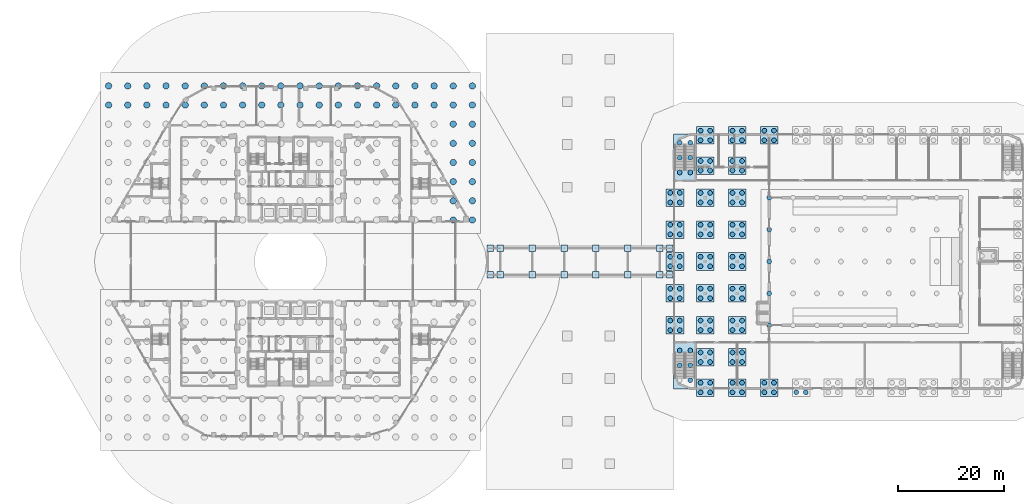
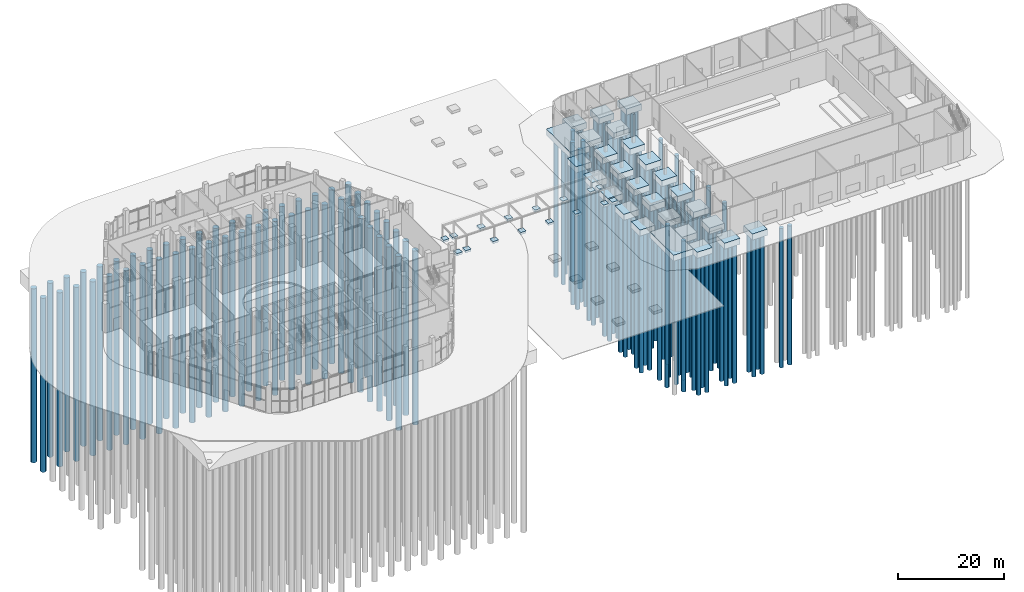
# One storey, part 2 of 44: 170 piles, 43 footings.
"""IFC4 building model written with IfcOpenShell, lengths in metres."""

from ifc_helpers import new_model, si_unit, direction, frame, origin, origin_2d, place, context, subcontext, project, spatial, polyline, rectangle, circle, outline, extrude, material, material_profile, profile_set, type_object, element, save


model = new_model("IFC4")

# Units and contexts
model_context = context("Model", 3, precision=1e-05, world=origin(), true_north=direction((0.0, 1.0)))
body_context = subcontext(model_context, "Body", "Model", "MODEL_VIEW")
ifc_project = project(units=[si_unit("LENGTHUNIT", "METRE"), si_unit("AREAUNIT", "SQUARE_METRE"), si_unit("VOLUMEUNIT", "CUBIC_METRE"), si_unit("PLANEANGLEUNIT", "RADIAN"), si_unit("MASSUNIT", "GRAM", prefix="KILO")], contexts=[model_context])

# Site, building, storey
site_placement = place(None, origin())
site = spatial("IfcSite", under=ifc_project, at=site_placement, CompositionType="ELEMENT")
building_placement = place(site_placement, origin())
building = spatial("IfcBuilding", under=site, at=building_placement, Name="Nakaniwa Court", CompositionType="ELEMENT")
storey_placement = place(building_placement, origin())
storey = spatial("IfcBuildingStorey", under=building, at=storey_placement, Name="L00", CompositionType="ELEMENT", Elevation=0.0)

# Footings
ifc_material_1 = material(Name="Concrete C40/50", Category="concrete")
footing_type_1 = type_object("IfcFootingType", Name="Canopy pad footing 1200x1200x500", PredefinedType="PAD_FOOTING", material=ifc_material_1)
footing_1_placement = place(storey_placement, frame((0.0, 0.0, -0.5)))
element("IfcFooting", 1, at=footing_1_placement, inside=storey, type_object=footing_type_1, Name="Canopy pad footing 1S", PredefinedType="PAD_FOOTING", context=body_context, shape_type="SweptSolid", body=[
    extrude(outline(polyline([(118.16748046875, 76.89990234375), (118.16748046875, 78.10009765625), (116.967529296875, 78.10009765625), (116.967529296875, 76.89990234375), (118.16748046875, 76.89990234375)])), origin(), (0.0, 0.0, 1.0), 0.5),
])
footing_2_placement = place(storey_placement, frame((0.0, 0.0, -0.5)))
element("IfcFooting", 2, at=footing_2_placement, inside=storey, type_object=footing_type_1, Name="Canopy pad footing 1N", PredefinedType="PAD_FOOTING", context=body_context, shape_type="SweptSolid", body=[
    extrude(outline(polyline([(118.16748046875, 81.89990234375), (118.16748046875, 83.10009765625), (116.967529296875, 83.10009765625), (116.967529296875, 81.89990234375), (118.16748046875, 81.89990234375)])), origin(), (0.0, 0.0, 1.0), 0.5),
])
footing_3_placement = place(storey_placement, frame((0.0, 0.0, -0.5)))
element("IfcFooting", 3, at=footing_3_placement, inside=storey, type_object=footing_type_1, Name="Canopy pad footing 2S", PredefinedType="PAD_FOOTING", context=body_context, shape_type="SweptSolid", body=[
    extrude(outline(polyline([(120.0673828125, 76.89990234375), (120.0673828125, 78.10009765625), (118.867431640625, 78.10009765625), (118.867431640625, 76.89990234375), (120.0673828125, 76.89990234375)])), origin(), (0.0, 0.0, 1.0), 0.5),
])
footing_4_placement = place(storey_placement, frame((0.0, 0.0, -0.5)))
element("IfcFooting", 4, at=footing_4_placement, inside=storey, type_object=footing_type_1, Name="Canopy pad footing 2N", PredefinedType="PAD_FOOTING", context=body_context, shape_type="SweptSolid", body=[
    extrude(outline(polyline([(120.0673828125, 81.89990234375), (120.0673828125, 83.10009765625), (118.867431640625, 83.10009765625), (118.867431640625, 81.89990234375), (120.0673828125, 81.89990234375)])), origin(), (0.0, 0.0, 1.0), 0.5),
])
footing_5_placement = place(storey_placement, frame((0.0, 0.0, -0.5)))
element("IfcFooting", 5, at=footing_5_placement, inside=storey, type_object=footing_type_1, Name="Canopy pad footing 3S", PredefinedType="PAD_FOOTING", context=body_context, shape_type="SweptSolid", body=[
    extrude(outline(polyline([(126.053955078125, 76.89990234375), (126.053955078125, 78.10009765625), (124.85400390625, 78.10009765625), (124.85400390625, 76.89990234375), (126.053955078125, 76.89990234375)])), origin(), (0.0, 0.0, 1.0), 0.5),
])
footing_6_placement = place(storey_placement, frame((0.0, 0.0, -0.5)))
element("IfcFooting", 6, at=footing_6_placement, inside=storey, type_object=footing_type_1, Name="Canopy pad footing 3N", PredefinedType="PAD_FOOTING", context=body_context, shape_type="SweptSolid", body=[
    extrude(outline(polyline([(126.053955078125, 81.89990234375), (126.053955078125, 83.10009765625), (124.85400390625, 83.10009765625), (124.85400390625, 81.89990234375), (126.053955078125, 81.89990234375)])), origin(), (0.0, 0.0, 1.0), 0.5),
])
footing_7_placement = place(storey_placement, frame((0.0, 0.0, -0.5)))
element("IfcFooting", 7, at=footing_7_placement, inside=storey, type_object=footing_type_1, Name="Canopy pad footing 4S", PredefinedType="PAD_FOOTING", context=body_context, shape_type="SweptSolid", body=[
    extrude(outline(polyline([(132.04052734375, 76.89990234375), (132.04052734375, 78.10009765625), (130.840576171875, 78.10009765625), (130.840576171875, 76.89990234375), (132.04052734375, 76.89990234375)])), origin(), (0.0, 0.0, 1.0), 0.5),
])
footing_8_placement = place(storey_placement, frame((0.0, 0.0, -0.5)))
element("IfcFooting", 8, at=footing_8_placement, inside=storey, type_object=footing_type_1, Name="Canopy pad footing 4N", PredefinedType="PAD_FOOTING", context=body_context, shape_type="SweptSolid", body=[
    extrude(outline(polyline([(132.04052734375, 81.89990234375), (132.04052734375, 83.10009765625), (130.840576171875, 83.10009765625), (130.840576171875, 81.89990234375), (132.04052734375, 81.89990234375)])), origin(), (0.0, 0.0, 1.0), 0.5),
])
footing_9_placement = place(storey_placement, frame((0.0, 0.0, -0.5)))
element("IfcFooting", 9, at=footing_9_placement, inside=storey, type_object=footing_type_1, Name="Canopy pad footing 5S", PredefinedType="PAD_FOOTING", context=body_context, shape_type="SweptSolid", body=[
    extrude(outline(polyline([(138.027099609375, 76.89990234375), (138.027099609375, 78.10009765625), (136.826904296875, 78.10009765625), (136.826904296875, 76.89990234375), (138.027099609375, 76.89990234375)])), origin(), (0.0, 0.0, 1.0), 0.5),
])
footing_10_placement = place(storey_placement, frame((0.0, 0.0, -0.5)))
element("IfcFooting", 10, at=footing_10_placement, inside=storey, type_object=footing_type_1, Name="Canopy pad footing 5N", PredefinedType="PAD_FOOTING", context=body_context, shape_type="SweptSolid", body=[
    extrude(outline(polyline([(138.027099609375, 81.89990234375), (138.027099609375, 83.10009765625), (136.826904296875, 83.10009765625), (136.826904296875, 81.89990234375), (138.027099609375, 81.89990234375)])), origin(), (0.0, 0.0, 1.0), 0.5),
])
footing_11_placement = place(storey_placement, frame((0.0, 0.0, -0.5)))
element("IfcFooting", 11, at=footing_11_placement, inside=storey, type_object=footing_type_1, Name="Canopy pad footing 6S", PredefinedType="PAD_FOOTING", context=body_context, shape_type="SweptSolid", body=[
    extrude(outline(polyline([(144.013427734375, 76.89990234375), (144.013427734375, 78.10009765625), (142.8134765625, 78.10009765625), (142.8134765625, 76.89990234375), (144.013427734375, 76.89990234375)])), origin(), (0.0, 0.0, 1.0), 0.5),
])
footing_12_placement = place(storey_placement, frame((0.0, 0.0, -0.5)))
element("IfcFooting", 12, at=footing_12_placement, inside=storey, type_object=footing_type_1, Name="Canopy pad footing 6N", PredefinedType="PAD_FOOTING", context=body_context, shape_type="SweptSolid", body=[
    extrude(outline(polyline([(144.013427734375, 81.89990234375), (144.013427734375, 83.10009765625), (142.8134765625, 83.10009765625), (142.8134765625, 81.89990234375), (144.013427734375, 81.89990234375)])), origin(), (0.0, 0.0, 1.0), 0.5),
])
footing_13_placement = place(storey_placement, frame((0.0, 0.0, -0.5)))
element("IfcFooting", 13, at=footing_13_placement, inside=storey, type_object=footing_type_1, Name="Canopy pad footing 7S", PredefinedType="PAD_FOOTING", context=body_context, shape_type="SweptSolid", body=[
    extrude(outline(polyline([(150.0, 76.89990234375), (150.0, 78.10009765625), (148.800048828125, 78.10009765625), (148.800048828125, 76.89990234375), (150.0, 76.89990234375)])), origin(), (0.0, 0.0, 1.0), 0.5),
])
footing_14_placement = place(storey_placement, frame((0.0, 0.0, -0.5)))
element("IfcFooting", 14, at=footing_14_placement, inside=storey, type_object=footing_type_1, Name="Canopy pad footing 7N", PredefinedType="PAD_FOOTING", context=body_context, shape_type="SweptSolid", body=[
    extrude(outline(polyline([(150.0, 81.89990234375), (150.0, 83.10009765625), (148.800048828125, 83.10009765625), (148.800048828125, 81.89990234375), (150.0, 81.89990234375)])), origin(), (0.0, 0.0, 1.0), 0.5),
])
footing_15_placement = place(storey_placement, frame((0.0, 0.0, -0.5)))
element("IfcFooting", 15, at=footing_15_placement, inside=storey, type_object=footing_type_1, Name="Canopy pad footing 8S", PredefinedType="PAD_FOOTING", context=body_context, shape_type="SweptSolid", body=[
    extrude(outline(polyline([(151.89990234375, 76.89990234375), (151.89990234375, 78.10009765625), (150.699951171875, 78.10009765625), (150.699951171875, 76.89990234375), (151.89990234375, 76.89990234375)])), origin(), (0.0, 0.0, 1.0), 0.5),
])
footing_16_placement = place(storey_placement, frame((0.0, 0.0, -0.5)))
element("IfcFooting", 16, at=footing_16_placement, inside=storey, type_object=footing_type_1, Name="Canopy pad footing 8N", PredefinedType="PAD_FOOTING", context=body_context, shape_type="SweptSolid", body=[
    extrude(outline(polyline([(151.89990234375, 81.89990234375), (151.89990234375, 83.10009765625), (150.699951171875, 83.10009765625), (150.699951171875, 81.89990234375), (151.89990234375, 81.89990234375)])), origin(), (0.0, 0.0, 1.0), 0.5),
])

# Piles
ifc_material_2 = material(Name="Concrete C50/60", Category="concrete")
ifc_material_profile_1 = material_profile(ifc_material_2, circle(Radius=0.60009765625, at=origin_2d()), Name="Concrete C50/60 bored pile D1200")
ifc_profile_set_1 = profile_set([ifc_material_profile_1], Name="Concrete C50/60")
pile_type_1 = type_object("IfcPileType", Name="Concrete C50/60 bored pile D1200", PredefinedType="BORED", material=ifc_profile_set_1)
for number, where, z_axis, x_axis, name in (
    (17, (45.800048828125, 109.414794921875, -4.64990234375), (0.0, 0.0, -1.0), (1.0, 0.0, 0.0), "BORED PILE"),
    (18, (45.800048828125, 113.0146484375, -4.64990234375), (0.0, 0.0, -1.0), (1.0, 0.0, 0.0), "BORED PILE"),
    (19, (49.39990234375, 109.414794921875, -4.64990234375), (0.0, 0.0, -1.0), (1.0, 0.0, 0.0), "BORED PILE"),
    (20, (49.39990234375, 113.0146484375, -4.64990234375), (0.0, 0.0, -1.0), (1.0, 0.0, 0.0), "BORED PILE"),
    (21, (53.0, 109.414794921875, -4.64990234375), (0.0, 0.0, -1.0), (1.0, 0.0, 0.0), "BORED PILE"),
    (22, (53.0, 113.0146484375, -4.64990234375), (0.0, 0.0, -1.0), (1.0, 0.0, 0.0), "BORED PILE"),
    (23, (56.60009765625, 109.414794921875, -4.64990234375), (0.0, 0.0, -1.0), (1.0, 0.0, 0.0), "BORED PILE"),
    (24, (56.60009765625, 113.0146484375, -4.64990234375), (0.0, 0.0, -1.0), (1.0, 0.0, 0.0), "BORED PILE"),
    (25, (60.199951171875, 109.414794921875, -4.64990234375), (0.0, 0.0, -1.0), (1.0, 0.0, 0.0), "BORED PILE"),
    (26, (60.199951171875, 113.0146484375, -4.64990234375), (0.0, 0.0, -1.0), (1.0, 0.0, 0.0), "BORED PILE"),
    (27, (63.800048828125, 109.414794921875, -4.64990234375), (0.0, 0.0, -1.0), (1.0, 0.0, 0.0), "BORED PILE"),
    (28, (63.800048828125, 113.0146484375, -4.64990234375), (0.0, 0.0, -1.0), (1.0, 0.0, 0.0), "BORED PILE"),
    (29, (67.39990234375, 109.414794921875, -4.64990234375), (0.0, 0.0, -1.0), (1.0, 0.0, 0.0), "BORED PILE"),
    (30, (67.39990234375, 113.0146484375, -4.64990234375), (0.0, 0.0, -1.0), (1.0, 0.0, 0.0), "BORED PILE"),
    (31, (71.0, 109.414794921875, -4.64990234375), (0.0, 0.0, -1.0), (1.0, 0.0, 0.0), "BORED PILE"),
    (32, (71.0, 113.0146484375, -4.64990234375), (0.0, 0.0, -1.0), (1.0, 0.0, 0.0), "BORED PILE"),
    (33, (74.60009765625, 109.414794921875, -4.64990234375), (0.0, 0.0, -1.0), (1.0, 0.0, 0.0), "BORED PILE"),
    (34, (74.60009765625, 113.0146484375, -4.64990234375), (0.0, 0.0, -1.0), (1.0, 0.0, 0.0), "BORED PILE"),
    (35, (78.199951171875, 109.414794921875, -4.64990234375), (0.0, 0.0, -1.0), (1.0, 0.0, 0.0), "BORED PILE"),
    (36, (78.199951171875, 113.0146484375, -4.64990234375), (0.0, 0.0, -1.0), (1.0, 0.0, 0.0), "BORED PILE"),
    (37, (81.800048828125, 109.414794921875, -4.64990234375), (0.0, 0.0, -1.0), (1.0, 0.0, 0.0), "BORED PILE"),
    (38, (81.800048828125, 113.0146484375, -4.64990234375), (0.0, 0.0, -1.0), (1.0, 0.0, 0.0), "BORED PILE"),
    (39, (85.39990234375, 109.414794921875, -4.64990234375), (0.0, 0.0, -1.0), (1.0, 0.0, 0.0), "BORED PILE"),
    (40, (85.39990234375, 113.0146484375, -4.64990234375), (0.0, 0.0, -1.0), (1.0, 0.0, 0.0), "BORED PILE"),
    (41, (89.0, 109.414794921875, -4.64990234375), (0.0, 0.0, -1.0), (1.0, 0.0, 0.0), "BORED PILE"),
    (42, (89.0, 113.0146484375, -4.64990234375), (0.0, 0.0, -1.0), (1.0, 0.0, 0.0), "BORED PILE"),
    (43, (92.60009765625, 109.414794921875, -4.64990234375), (0.0, 0.0, -1.0), (1.0, 0.0, 0.0), "BORED PILE"),
    (44, (92.60009765625, 113.0146484375, -4.64990234375), (0.0, 0.0, -1.0), (1.0, 0.0, 0.0), "BORED PILE"),
    (45, (96.199951171875, 109.414794921875, -4.64990234375), (0.0, 0.0, -1.0), (1.0, 0.0, 0.0), "BORED PILE"),
    (46, (96.199951171875, 113.0146484375, -4.64990234375), (0.0, 0.0, -1.0), (1.0, 0.0, 0.0), "BORED PILE"),
    (47, (99.800048828125, 109.414794921875, -4.64990234375), (0.0, 0.0, -1.0), (1.0, 0.0, 0.0), "BORED PILE"),
    (48, (99.800048828125, 113.0146484375, -4.64990234375), (0.0, 0.0, -1.0), (1.0, 0.0, 0.0), "BORED PILE"),
    (49, (103.39990234375, 109.414794921875, -4.64990234375), (0.0, 0.0, -1.0), (1.0, 0.0, 0.0), "BORED PILE"),
    (50, (103.39990234375, 113.0146484375, -4.64990234375), (0.0, 0.0, -1.0), (1.0, 0.0, 0.0), "BORED PILE"),
    (51, (107.0, 109.414794921875, -4.64990234375), (0.0, 0.0, -1.0), (1.0, 0.0, 0.0), "BORED PILE"),
    (52, (107.0, 113.0146484375, -4.64990234375), (0.0, 0.0, -1.0), (1.0, 0.0, 0.0), "BORED PILE"),
    (53, (110.60009765625, 87.814697265625, -4.64990234375), (0.0, 0.0, -1.0), (1.0, 0.0, 0.0), "BORED PILE"),
    (54, (110.60009765625, 91.414794921875, -4.64990234375), (0.0, 0.0, -1.0), (1.0, 0.0, 0.0), "BORED PILE"),
    (55, (110.60009765625, 95.0146484375, -4.64990234375), (0.0, 0.0, -1.0), (1.0, 0.0, 0.0), "BORED PILE"),
    (56, (110.60009765625, 98.61474609375, -4.64990234375), (0.0, 0.0, -1.0), (1.0, 0.0, 0.0), "BORED PILE"),
    (57, (110.60009765625, 102.214599609375, -4.64990234375), (0.0, 0.0, -1.0), (1.0, 0.0, 0.0), "BORED PILE"),
    (58, (110.60009765625, 105.814697265625, -4.64990234375), (0.0, 0.0, -1.0), (1.0, 0.0, 0.0), "BORED PILE"),
    (59, (110.60009765625, 109.414794921875, -4.64990234375), (0.0, 0.0, -1.0), (1.0, 0.0, 0.0), "BORED PILE"),
    (60, (110.60009765625, 113.0146484375, -4.64990234375), (0.0, 0.0, -1.0), (1.0, 0.0, 0.0), "BORED PILE"),
    (61, (114.199951171875, 87.814697265625, -4.64990234375), (0.0, 0.0, -1.0), (1.0, 0.0, 0.0), "BORED PILE"),
    (62, (114.199951171875, 91.414794921875, -4.64990234375), (0.0, 0.0, -1.0), (1.0, 0.0, 0.0), "BORED PILE"),
    (63, (114.199951171875, 95.0146484375, -4.64990234375), (0.0, 0.0, -1.0), (1.0, 0.0, 0.0), "BORED PILE"),
    (64, (114.199951171875, 98.61474609375, -4.64990234375), (0.0, 0.0, -1.0), (1.0, 0.0, 0.0), "BORED PILE"),
    (65, (114.199951171875, 102.214599609375, -4.64990234375), (0.0, 0.0, -1.0), (1.0, 0.0, 0.0), "BORED PILE"),
    (66, (114.199951171875, 105.814697265625, -4.64990234375), (0.0, 0.0, -1.0), (1.0, 0.0, 0.0), "BORED PILE"),
    (67, (114.199951171875, 109.414794921875, -4.64990234375), (0.0, 0.0, -1.0), (1.0, 0.0, 0.0), "BORED PILE"),
    (68, (114.199951171875, 113.0146484375, -4.64990234375), (0.0, 0.0, -1.0), (1.0, 0.0, 0.0), "BORED PILE"),
):
    element("IfcPile", number, at=place(storey_placement, frame(where, z_axis=z_axis, x_axis=x_axis)), inside=storey, type_object=pile_type_1, Name=name, PredefinedType="BORED", context=body_context, shape_type="SweptSolid", body=[
        extrude(circle(Radius=0.60009765625, at=origin_2d()), origin(), (0.0, 0.0, 1.0), 40.0),
    ])
ifc_material_profile_2 = material_profile(ifc_material_1, circle(Radius=0.449951171875, at=origin_2d()), Name="Bored pile D900")
ifc_profile_set_2 = profile_set([ifc_material_profile_2], Name="Concrete C40/50")
pile_type_2 = type_object("IfcPileType", Name="Hall bored pile D900", PredefinedType="BORED", material=ifc_profile_set_2)
for number, where, z_axis, x_axis, name in (
    (69, (157.10009765625, 55.39990234375, -1.25), (0.0, 0.0, -1.0), (1.0, 0.0, 0.0), "Hall bored pile"),
    (70, (158.89990234375, 55.39990234375, -1.25), (0.0, 0.0, -1.0), (1.0, 0.0, 0.0), "Hall bored pile"),
    (71, (158.89990234375, 57.199951171875, -1.25), (0.0, 0.0, -1.0), (1.0, 0.0, 0.0), "Hall bored pile"),
    (72, (157.10009765625, 57.199951171875, -1.25), (0.0, 0.0, -1.0), (1.0, 0.0, 0.0), "Hall bored pile"),
    (73, (157.10009765625, 102.800048828125, -1.25), (0.0, 0.0, -1.0), (1.0, 0.0, 0.0), "Hall bored pile"),
    (74, (158.89990234375, 102.800048828125, -1.25), (0.0, 0.0, -1.0), (1.0, 0.0, 0.0), "Hall bored pile"),
    (75, (158.89990234375, 104.60009765625, -1.25), (0.0, 0.0, -1.0), (1.0, 0.0, 0.0), "Hall bored pile"),
    (76, (157.10009765625, 104.60009765625, -1.25), (0.0, 0.0, -1.0), (1.0, 0.0, 0.0), "Hall bored pile"),
    (77, (163.10009765625, 55.39990234375, -1.25), (0.0, 0.0, -1.0), (1.0, 0.0, 0.0), "Hall bored pile"),
    (78, (164.89990234375, 55.39990234375, -1.25), (0.0, 0.0, -1.0), (1.0, 0.0, 0.0), "Hall bored pile"),
    (79, (164.89990234375, 57.199951171875, -1.25), (0.0, 0.0, -1.0), (1.0, 0.0, 0.0), "Hall bored pile"),
    (80, (163.10009765625, 57.199951171875, -1.25), (0.0, 0.0, -1.0), (1.0, 0.0, 0.0), "Hall bored pile"),
    (81, (163.10009765625, 102.800048828125, -1.25), (0.0, 0.0, -1.0), (1.0, 0.0, 0.0), "Hall bored pile"),
    (82, (164.89990234375, 102.800048828125, -1.25), (0.0, 0.0, -1.0), (1.0, 0.0, 0.0), "Hall bored pile"),
    (83, (164.89990234375, 104.60009765625, -1.25), (0.0, 0.0, -1.0), (1.0, 0.0, 0.0), "Hall bored pile"),
    (84, (163.10009765625, 104.60009765625, -1.25), (0.0, 0.0, -1.0), (1.0, 0.0, 0.0), "Hall bored pile"),
    (85, (169.10009765625, 55.39990234375, -1.25), (0.0, 0.0, -1.0), (1.0, 0.0, 0.0), "Hall bored pile"),
    (86, (170.89990234375, 55.39990234375, -1.25), (0.0, 0.0, -1.0), (1.0, 0.0, 0.0), "Hall bored pile"),
    (87, (170.89990234375, 57.199951171875, -1.25), (0.0, 0.0, -1.0), (1.0, 0.0, 0.0), "Hall bored pile"),
    (88, (169.10009765625, 57.199951171875, -1.25), (0.0, 0.0, -1.0), (1.0, 0.0, 0.0), "Hall bored pile"),
    (89, (169.10009765625, 102.800048828125, -1.25), (0.0, 0.0, -1.0), (1.0, 0.0, 0.0), "Hall bored pile"),
    (90, (170.89990234375, 102.800048828125, -1.25), (0.0, 0.0, -1.0), (1.0, 0.0, 0.0), "Hall bored pile"),
    (91, (170.89990234375, 104.60009765625, -1.25), (0.0, 0.0, -1.0), (1.0, 0.0, 0.0), "Hall bored pile"),
    (92, (169.10009765625, 104.60009765625, -1.25), (0.0, 0.0, -1.0), (1.0, 0.0, 0.0), "Hall bored pile"),
    (93, (175.10009765625, 55.39990234375, -1.25), (0.0, 0.0, -1.0), (1.0, 0.0, 0.0), "Hall bored pile"),
    (94, (176.89990234375, 55.39990234375, -1.25), (0.0, 0.0, -1.0), (1.0, 0.0, 0.0), "Hall bored pile"),
    (95, (151.39990234375, 67.10009765625, -1.25), (0.0, 0.0, -1.0), (1.0, 0.0, 0.0), "Hall bored pile"),
    (96, (153.199951171875, 67.10009765625, -1.25), (0.0, 0.0, -1.0), (1.0, 0.0, 0.0), "Hall bored pile"),
    (97, (153.199951171875, 68.89990234375, -1.25), (0.0, 0.0, -1.0), (1.0, 0.0, 0.0), "Hall bored pile"),
    (98, (151.39990234375, 68.89990234375, -1.25), (0.0, 0.0, -1.0), (1.0, 0.0, 0.0), "Hall bored pile"),
    (99, (151.39990234375, 73.10009765625, -1.25), (0.0, 0.0, -1.0), (1.0, 0.0, 0.0), "Hall bored pile"),
    (100, (153.199951171875, 73.10009765625, -1.25), (0.0, 0.0, -1.0), (1.0, 0.0, 0.0), "Hall bored pile"),
    (101, (153.199951171875, 74.89990234375, -1.25), (0.0, 0.0, -1.0), (1.0, 0.0, 0.0), "Hall bored pile"),
    (102, (151.39990234375, 74.89990234375, -1.25), (0.0, 0.0, -1.0), (1.0, 0.0, 0.0), "Hall bored pile"),
    (103, (151.39990234375, 79.10009765625, -1.25), (0.0, 0.0, -1.0), (1.0, 0.0, 0.0), "Hall bored pile"),
    (104, (153.199951171875, 79.10009765625, -1.25), (0.0, 0.0, -1.0), (1.0, 0.0, 0.0), "Hall bored pile"),
    (105, (153.199951171875, 80.89990234375, -1.25), (0.0, 0.0, -1.0), (1.0, 0.0, 0.0), "Hall bored pile"),
    (106, (151.39990234375, 80.89990234375, -1.25), (0.0, 0.0, -1.0), (1.0, 0.0, 0.0), "Hall bored pile"),
    (107, (151.39990234375, 85.10009765625, -1.25), (0.0, 0.0, -1.0), (1.0, 0.0, 0.0), "Hall bored pile"),
    (108, (153.199951171875, 85.10009765625, -1.25), (0.0, 0.0, -1.0), (1.0, 0.0, 0.0), "Hall bored pile"),
    (109, (153.199951171875, 86.89990234375, -1.25), (0.0, 0.0, -1.0), (1.0, 0.0, 0.0), "Hall bored pile"),
    (110, (151.39990234375, 86.89990234375, -1.25), (0.0, 0.0, -1.0), (1.0, 0.0, 0.0), "Hall bored pile"),
    (111, (151.39990234375, 91.10009765625, -1.25), (0.0, 0.0, -1.0), (1.0, 0.0, 0.0), "Hall bored pile"),
    (112, (153.199951171875, 91.10009765625, -1.25), (0.0, 0.0, -1.0), (1.0, 0.0, 0.0), "Hall bored pile"),
    (113, (153.199951171875, 92.89990234375, -1.25), (0.0, 0.0, -1.0), (1.0, 0.0, 0.0), "Hall bored pile"),
    (114, (151.39990234375, 92.89990234375, -1.25), (0.0, 0.0, -1.0), (1.0, 0.0, 0.0), "Hall bored pile"),
    (115, (157.10009765625, 61.10009765625, -1.25), (0.0, 0.0, -1.0), (1.0, 0.0, 0.0), "Hall bored pile"),
    (116, (158.89990234375, 61.10009765625, -1.25), (0.0, 0.0, -1.0), (1.0, 0.0, 0.0), "Hall bored pile"),
    (117, (158.89990234375, 62.89990234375, -1.25), (0.0, 0.0, -1.0), (1.0, 0.0, 0.0), "Hall bored pile"),
    (118, (157.10009765625, 62.89990234375, -1.25), (0.0, 0.0, -1.0), (1.0, 0.0, 0.0), "Hall bored pile"),
    (119, (157.10009765625, 67.10009765625, -1.25), (0.0, 0.0, -1.0), (1.0, 0.0, 0.0), "Hall bored pile"),
    (120, (158.89990234375, 67.10009765625, -1.25), (0.0, 0.0, -1.0), (1.0, 0.0, 0.0), "Hall bored pile"),
    (121, (158.89990234375, 68.89990234375, -1.25), (0.0, 0.0, -1.0), (1.0, 0.0, 0.0), "Hall bored pile"),
    (122, (157.10009765625, 68.89990234375, -1.25), (0.0, 0.0, -1.0), (1.0, 0.0, 0.0), "Hall bored pile"),
    (123, (157.10009765625, 73.10009765625, -1.25), (0.0, 0.0, -1.0), (1.0, 0.0, 0.0), "Hall bored pile"),
    (124, (158.89990234375, 73.10009765625, -1.25), (0.0, 0.0, -1.0), (1.0, 0.0, 0.0), "Hall bored pile"),
    (125, (158.89990234375, 74.89990234375, -1.25), (0.0, 0.0, -1.0), (1.0, 0.0, 0.0), "Hall bored pile"),
    (126, (157.10009765625, 74.89990234375, -1.25), (0.0, 0.0, -1.0), (1.0, 0.0, 0.0), "Hall bored pile"),
    (127, (157.10009765625, 79.10009765625, -1.25), (0.0, 0.0, -1.0), (1.0, 0.0, 0.0), "Hall bored pile"),
    (128, (158.89990234375, 79.10009765625, -1.25), (0.0, 0.0, -1.0), (1.0, 0.0, 0.0), "Hall bored pile"),
    (129, (158.89990234375, 80.89990234375, -1.25), (0.0, 0.0, -1.0), (1.0, 0.0, 0.0), "Hall bored pile"),
    (130, (157.10009765625, 80.89990234375, -1.25), (0.0, 0.0, -1.0), (1.0, 0.0, 0.0), "Hall bored pile"),
    (131, (157.10009765625, 85.10009765625, -1.25), (0.0, 0.0, -1.0), (1.0, 0.0, 0.0), "Hall bored pile"),
    (132, (158.89990234375, 85.10009765625, -1.25), (0.0, 0.0, -1.0), (1.0, 0.0, 0.0), "Hall bored pile"),
    (133, (158.89990234375, 86.89990234375, -1.25), (0.0, 0.0, -1.0), (1.0, 0.0, 0.0), "Hall bored pile"),
    (134, (157.10009765625, 86.89990234375, -1.25), (0.0, 0.0, -1.0), (1.0, 0.0, 0.0), "Hall bored pile"),
    (135, (157.10009765625, 91.10009765625, -1.25), (0.0, 0.0, -1.0), (1.0, 0.0, 0.0), "Hall bored pile"),
    (136, (158.89990234375, 91.10009765625, -1.25), (0.0, 0.0, -1.0), (1.0, 0.0, 0.0), "Hall bored pile"),
    (137, (158.89990234375, 92.89990234375, -1.25), (0.0, 0.0, -1.0), (1.0, 0.0, 0.0), "Hall bored pile"),
    (138, (157.10009765625, 92.89990234375, -1.25), (0.0, 0.0, -1.0), (1.0, 0.0, 0.0), "Hall bored pile"),
    (139, (157.10009765625, 97.10009765625, -1.25), (0.0, 0.0, -1.0), (1.0, 0.0, 0.0), "Hall bored pile"),
    (140, (158.89990234375, 97.10009765625, -1.25), (0.0, 0.0, -1.0), (1.0, 0.0, 0.0), "Hall bored pile"),
    (141, (158.89990234375, 98.89990234375, -1.25), (0.0, 0.0, -1.0), (1.0, 0.0, 0.0), "Hall bored pile"),
    (142, (157.10009765625, 98.89990234375, -1.25), (0.0, 0.0, -1.0), (1.0, 0.0, 0.0), "Hall bored pile"),
    (143, (163.10009765625, 61.10009765625, -1.25), (0.0, 0.0, -1.0), (1.0, 0.0, 0.0), "Hall bored pile"),
    (144, (164.89990234375, 61.10009765625, -1.25), (0.0, 0.0, -1.0), (1.0, 0.0, 0.0), "Hall bored pile"),
    (145, (164.89990234375, 62.89990234375, -1.25), (0.0, 0.0, -1.0), (1.0, 0.0, 0.0), "Hall bored pile"),
    (146, (163.10009765625, 62.89990234375, -1.25), (0.0, 0.0, -1.0), (1.0, 0.0, 0.0), "Hall bored pile"),
    (147, (163.10009765625, 67.10009765625, -1.25), (0.0, 0.0, -1.0), (1.0, 0.0, 0.0), "Hall bored pile"),
    (148, (164.89990234375, 67.10009765625, -1.25), (0.0, 0.0, -1.0), (1.0, 0.0, 0.0), "Hall bored pile"),
    (149, (164.89990234375, 68.89990234375, -1.25), (0.0, 0.0, -1.0), (1.0, 0.0, 0.0), "Hall bored pile"),
    (150, (163.10009765625, 68.89990234375, -1.25), (0.0, 0.0, -1.0), (1.0, 0.0, 0.0), "Hall bored pile"),
    (151, (163.10009765625, 73.10009765625, -1.25), (0.0, 0.0, -1.0), (1.0, 0.0, 0.0), "Hall bored pile"),
    (152, (164.89990234375, 73.10009765625, -1.25), (0.0, 0.0, -1.0), (1.0, 0.0, 0.0), "Hall bored pile"),
    (153, (164.89990234375, 74.89990234375, -1.25), (0.0, 0.0, -1.0), (1.0, 0.0, 0.0), "Hall bored pile"),
    (154, (163.10009765625, 74.89990234375, -1.25), (0.0, 0.0, -1.0), (1.0, 0.0, 0.0), "Hall bored pile"),
    (155, (163.10009765625, 79.10009765625, -1.25), (0.0, 0.0, -1.0), (1.0, 0.0, 0.0), "Hall bored pile"),
    (156, (164.89990234375, 79.10009765625, -1.25), (0.0, 0.0, -1.0), (1.0, 0.0, 0.0), "Hall bored pile"),
    (157, (164.89990234375, 80.89990234375, -1.25), (0.0, 0.0, -1.0), (1.0, 0.0, 0.0), "Hall bored pile"),
    (158, (163.10009765625, 80.89990234375, -1.25), (0.0, 0.0, -1.0), (1.0, 0.0, 0.0), "Hall bored pile"),
    (159, (163.10009765625, 85.10009765625, -1.25), (0.0, 0.0, -1.0), (1.0, 0.0, 0.0), "Hall bored pile"),
    (160, (164.89990234375, 85.10009765625, -1.25), (0.0, 0.0, -1.0), (1.0, 0.0, 0.0), "Hall bored pile"),
    (161, (164.89990234375, 86.89990234375, -1.25), (0.0, 0.0, -1.0), (1.0, 0.0, 0.0), "Hall bored pile"),
    (162, (163.10009765625, 86.89990234375, -1.25), (0.0, 0.0, -1.0), (1.0, 0.0, 0.0), "Hall bored pile"),
    (163, (163.10009765625, 91.10009765625, -1.25), (0.0, 0.0, -1.0), (1.0, 0.0, 0.0), "Hall bored pile"),
    (164, (164.89990234375, 91.10009765625, -1.25), (0.0, 0.0, -1.0), (1.0, 0.0, 0.0), "Hall bored pile"),
    (165, (164.89990234375, 92.89990234375, -1.25), (0.0, 0.0, -1.0), (1.0, 0.0, 0.0), "Hall bored pile"),
    (166, (163.10009765625, 92.89990234375, -1.25), (0.0, 0.0, -1.0), (1.0, 0.0, 0.0), "Hall bored pile"),
    (167, (163.10009765625, 97.10009765625, -1.25), (0.0, 0.0, -1.0), (1.0, 0.0, 0.0), "Hall bored pile"),
    (168, (164.89990234375, 97.10009765625, -1.25), (0.0, 0.0, -1.0), (1.0, 0.0, 0.0), "Hall bored pile"),
    (169, (164.89990234375, 98.89990234375, -1.25), (0.0, 0.0, -1.0), (1.0, 0.0, 0.0), "Hall bored pile"),
    (170, (163.10009765625, 98.89990234375, -1.25), (0.0, 0.0, -1.0), (1.0, 0.0, 0.0), "Hall bored pile"),
    (171, (170.0, 68.0, -1.25), (0.0, 0.0, -1.0), (1.0, 0.0, 0.0), "Hall raft pile"),
    (172, (170.0, 74.0, -1.25), (0.0, 0.0, -1.0), (1.0, 0.0, 0.0), "Hall raft pile"),
    (173, (170.0, 80.0, -1.25), (0.0, 0.0, -1.0), (1.0, 0.0, 0.0), "Hall raft pile"),
    (174, (170.0, 86.0, -1.25), (0.0, 0.0, -1.0), (1.0, 0.0, 0.0), "Hall raft pile"),
    (175, (170.0, 92.0, -1.25), (0.0, 0.0, -1.0), (1.0, 0.0, 0.0), "Hall raft pile"),
    (176, (155.175048828125, 57.693115234375, -1.25), (0.0, 0.0, -1.0), (1.0, 0.0, 0.0), "Hall stair 1 pile"),
    (177, (153.175048828125, 60.47998046875, -1.25), (0.0, 0.0, -1.0), (1.0, 0.0, 0.0), "Hall stair 1 pile"),
    (178, (155.175048828125, 60.47998046875, -1.25), (0.0, 0.0, -1.0), (1.0, 0.0, 0.0), "Hall stair 1 pile"),
    (179, (153.175048828125, 63.26708984375, -1.25), (0.0, 0.0, -1.0), (1.0, 0.0, 0.0), "Hall stair 1 pile"),
    (180, (155.175048828125, 63.26708984375, -1.25), (0.0, 0.0, -1.0), (1.0, 0.0, 0.0), "Hall stair 1 pile"),
    (181, (153.175048828125, 96.73291015625, -1.25), (0.0, 0.0, -1.0), (1.0, 0.0, 0.0), "Hall stair 2 pile"),
    (182, (155.175048828125, 96.73291015625, -1.25), (0.0, 0.0, -1.0), (1.0, 0.0, 0.0), "Hall stair 2 pile"),
    (183, (153.175048828125, 99.52001953125, -1.25), (0.0, 0.0, -1.0), (1.0, 0.0, 0.0), "Hall stair 2 pile"),
    (184, (155.175048828125, 99.52001953125, -1.25), (0.0, 0.0, -1.0), (1.0, 0.0, 0.0), "Hall stair 2 pile"),
    (185, (153.175048828125, 102.306884765625, -1.25), (0.0, 0.0, -1.0), (1.0, 0.0, 0.0), "Hall stair 2 pile"),
    (186, (155.175048828125, 102.306884765625, -1.25), (0.0, 0.0, -1.0), (1.0, 0.0, 0.0), "Hall stair 2 pile"),
):
    element("IfcPile", number, at=place(storey_placement, frame(where, z_axis=z_axis, x_axis=x_axis)), inside=storey, type_object=pile_type_2, Name=name, PredefinedType="BORED", context=body_context, shape_type="SweptSolid", body=[
        extrude(circle(Radius=0.449951171875, at=origin_2d()), origin(), (0.0, 0.0, 1.0), 32.0),
    ])

# Footings
footing_type_2 = type_object("IfcFootingType", Name="Hall pile cap 4-pile 3300x3300x1400", PredefinedType="PILE_CAP", material=ifc_material_1)
for number, where, z_axis, x_axis, name in (
    (187, (158.0, 56.300048828125, -1.39990234375), (0.0, 0.0, 1.0), (1.0, 0.0, 0.0), "Hall pile cap S1"),
    (188, (158.0, 103.699951171875, -1.39990234375), (0.0, 0.0, 1.0), (1.0, 0.0, 0.0), "Hall pile cap N1"),
    (189, (164.0, 56.300048828125, -1.39990234375), (0.0, 0.0, 1.0), (1.0, 0.0, 0.0), "Hall pile cap S2"),
    (190, (164.0, 103.699951171875, -1.39990234375), (0.0, 0.0, 1.0), (1.0, 0.0, 0.0), "Hall pile cap N2"),
    (191, (170.0, 56.300048828125, -1.39990234375), (0.0, 0.0, 1.0), (1.0, 0.0, 0.0), "Hall pile cap S3"),
    (192, (170.0, 103.699951171875, -1.39990234375), (0.0, 0.0, 1.0), (1.0, 0.0, 0.0), "Hall pile cap N3"),
    (193, (152.300048828125, 68.0, -1.39990234375), (0.0, 0.0, 1.0), (1.0, 0.0, 0.0), "Hall pile cap W2"),
    (194, (152.300048828125, 74.0, -1.39990234375), (0.0, 0.0, 1.0), (1.0, 0.0, 0.0), "Hall pile cap W3"),
    (195, (152.300048828125, 80.0, -1.39990234375), (0.0, 0.0, 1.0), (1.0, 0.0, 0.0), "Hall pile cap W4"),
    (196, (152.300048828125, 86.0, -1.39990234375), (0.0, 0.0, 1.0), (1.0, 0.0, 0.0), "Hall pile cap W5"),
    (197, (152.300048828125, 92.0, -1.39990234375), (0.0, 0.0, 1.0), (1.0, 0.0, 0.0), "Hall pile cap W6"),
    (198, (158.0, 62.0, -1.39990234375), (0.0, 0.0, 1.0), (1.0, 0.0, 0.0), "Hall pile cap F1-1"),
    (199, (158.0, 68.0, -1.39990234375), (0.0, 0.0, 1.0), (1.0, 0.0, 0.0), "Hall pile cap F1-2"),
    (200, (158.0, 74.0, -1.39990234375), (0.0, 0.0, 1.0), (1.0, 0.0, 0.0), "Hall pile cap F1-3"),
    (201, (158.0, 80.0, -1.39990234375), (0.0, 0.0, 1.0), (1.0, 0.0, 0.0), "Hall pile cap F1-4"),
    (202, (158.0, 86.0, -1.39990234375), (0.0, 0.0, 1.0), (1.0, 0.0, 0.0), "Hall pile cap F1-5"),
    (203, (158.0, 92.0, -1.39990234375), (0.0, 0.0, 1.0), (1.0, 0.0, 0.0), "Hall pile cap F1-6"),
    (204, (158.0, 98.0, -1.39990234375), (0.0, 0.0, 1.0), (1.0, 0.0, 0.0), "Hall pile cap F1-7"),
    (205, (164.0, 62.0, -1.39990234375), (0.0, 0.0, 1.0), (1.0, 0.0, 0.0), "Hall pile cap F2-1"),
    (206, (164.0, 68.0, -1.39990234375), (0.0, 0.0, 1.0), (1.0, 0.0, 0.0), "Hall pile cap F2-2"),
    (207, (164.0, 74.0, -1.39990234375), (0.0, 0.0, 1.0), (1.0, 0.0, 0.0), "Hall pile cap F2-3"),
    (208, (164.0, 80.0, -1.39990234375), (0.0, 0.0, 1.0), (1.0, 0.0, 0.0), "Hall pile cap F2-4"),
    (209, (164.0, 86.0, -1.39990234375), (0.0, 0.0, 1.0), (1.0, 0.0, 0.0), "Hall pile cap F2-5"),
    (210, (164.0, 92.0, -1.39990234375), (0.0, 0.0, 1.0), (1.0, 0.0, 0.0), "Hall pile cap F2-6"),
    (211, (164.0, 98.0, -1.39990234375), (0.0, 0.0, 1.0), (1.0, 0.0, 0.0), "Hall pile cap F2-7"),
):
    element("IfcFooting", number, at=place(storey_placement, frame(where, z_axis=z_axis, x_axis=x_axis)), inside=storey, type_object=footing_type_2, Name=name, PredefinedType="PILE_CAP", context=body_context, shape_type="SweptSolid", body=[
        extrude(rectangle(XDim=3.300048828125, YDim=3.300048828125, at=origin_2d()), origin(), (0.0, 0.0, 1.0), 1.39990234375),
    ])
footing_type_3 = type_object("IfcFootingType", Name="Hall piled raft 1400", PredefinedType="PAD_FOOTING", material=ifc_material_1)
for number, where, z_axis, x_axis, name in (
    (212, (154.175048828125, 60.47998046875, -1.39990234375), (0.0, 0.0, 1.0), (1.0, 0.0, 0.0), "Hall stair 1 shaft raft"),
    (213, (154.175048828125, 99.52001953125, -1.39990234375), (0.0, 0.0, 1.0), (1.0, 0.0, 0.0), "Hall stair 2 shaft raft"),
):
    element("IfcFooting", number, at=place(storey_placement, frame(where, z_axis=z_axis, x_axis=x_axis)), inside=storey, type_object=footing_type_3, Name=name, PredefinedType="PAD_FOOTING", context=body_context, shape_type="SweptSolid", body=[
        extrude(rectangle(XDim=4.25, YDim=8.860107421875, at=origin_2d()), origin(), (0.0, 0.0, 1.0), 1.39990234375),
    ])

save(model, "model.ifc")
